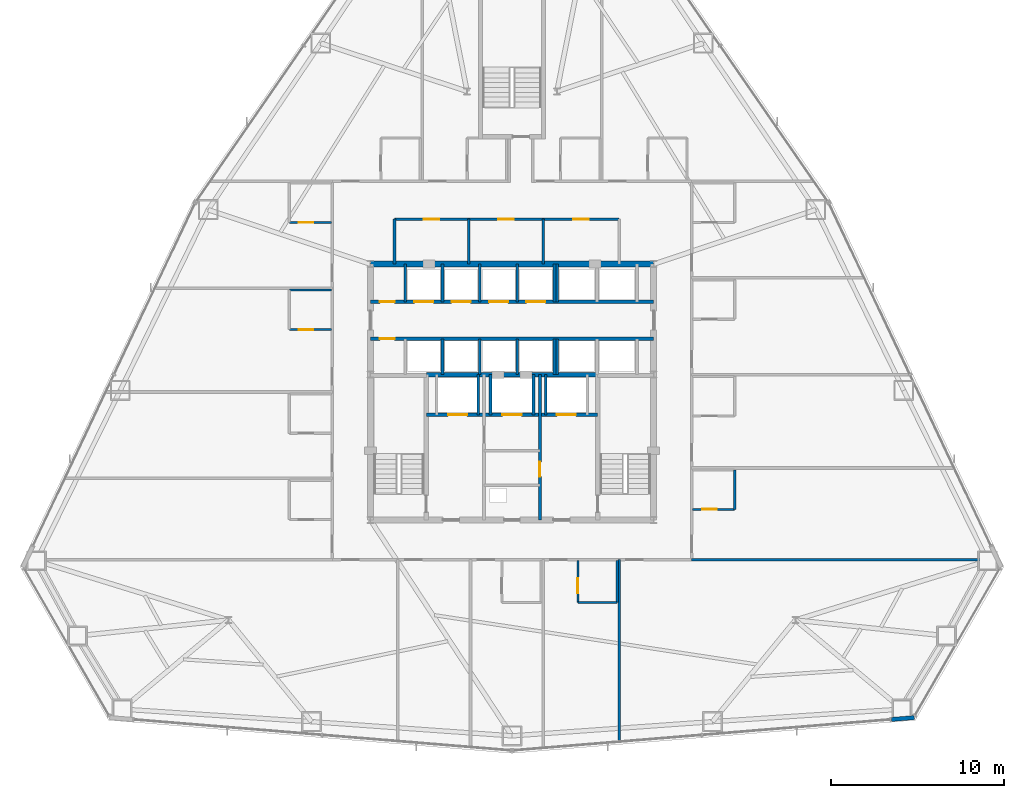
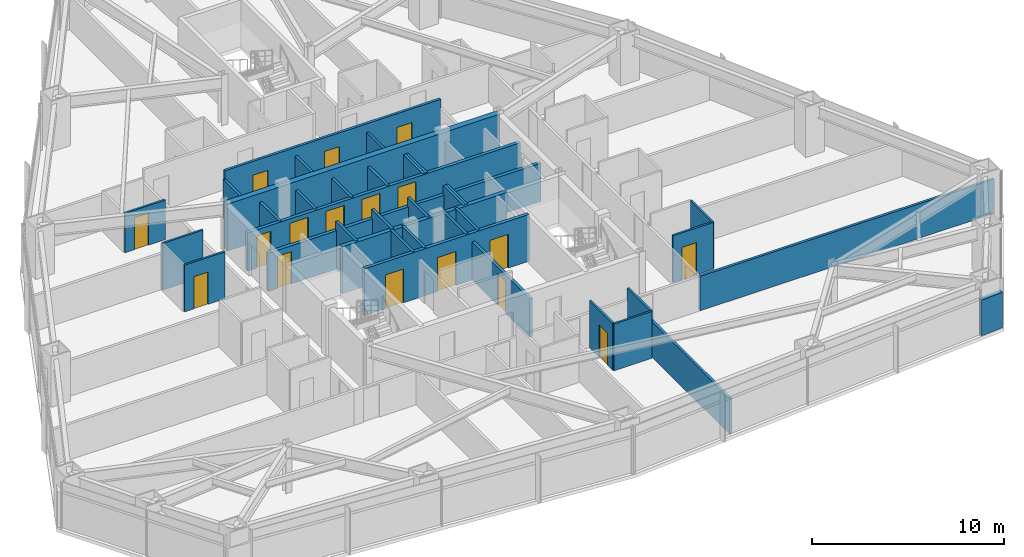
# One storey, part 10 of 13: 36 walls, 17 doors, 17 openings.
"""IFC4 building model written with IfcOpenShell, lengths in metres."""

from ifc_helpers import new_model, si_unit, direction, frame, frame_2d, origin, place, context, subcontext, project, spatial, rectangle, extrude, material, layer, layer_set, type_object, element, fill, save


model = new_model("IFC4")

# Units and contexts
model_context = context("Model", 3, precision=1e-05, world=origin(), true_north=direction((0.0, 1.0)))
body_context = subcontext(model_context, "Body", "Model", "MODEL_VIEW")
ifc_project = project(units=[si_unit("LENGTHUNIT", "METRE"), si_unit("AREAUNIT", "SQUARE_METRE"), si_unit("VOLUMEUNIT", "CUBIC_METRE"), si_unit("PLANEANGLEUNIT", "RADIAN"), si_unit("MASSUNIT", "GRAM", prefix="KILO")], contexts=[model_context])

# Site, building, storey
site_placement = place(None, origin())
site = spatial("IfcSite", under=ifc_project, at=site_placement, CompositionType="ELEMENT")
building_placement = place(site_placement, origin())
building = spatial("IfcBuilding", under=site, at=building_placement, Name="Varakhsha Concourse Tower", CompositionType="ELEMENT")
storey_placement = place(building_placement, frame((0.0, 0.0, 52.800048828125)))
storey = spatial("IfcBuildingStorey", under=building, at=storey_placement, Name="L14", CompositionType="ELEMENT", Elevation=52.800048828125)

# Walls
ifc_material_1 = material(Name="Concrete fc 65 MPa", Category="concrete")
ifc_layer_1 = layer(ifc_material_1, 0.35009765625, Name="WL-CORE-350")
ifc_layer_set_1 = layer_set([ifc_layer_1], Name="Concrete fc 65 MPa")
wall_type_1 = type_object("IfcWallType", Name="WL-CORE-350", PredefinedType="SHEAR", material=ifc_layer_set_1)
wall_1_placement = place(storey_placement, frame((31.800048828125, 31.199951171875, 0.0), z_axis=(0.0, 0.0, 1.0), x_axis=(1.0, 0.0, 0.0)))
element("IfcWall", 1, at=wall_1_placement, inside=storey, type_object=wall_type_1, Name="L14 Wall CWALL-N-L14", PredefinedType="SHEAR", context=body_context, shape_type="SweptSolid", body=[
    extrude(rectangle(XDim=16.39990234375, YDim=0.35009765625, at=frame_2d((8.199951171875, 0.0))), origin(), (0.0, 0.0, 1.0), 2.97998046875),
])
ifc_material_2 = material(Name="Concrete fc 45 MPa", Category="concrete")
ifc_layer_2 = layer(ifc_material_2, 0.239990234375, Name="WL-EXT-CRN-240")
ifc_layer_set_2 = layer_set([ifc_layer_2], Name="Concrete fc 45 MPa")
wall_type_2 = type_object("IfcWallType", Name="WL-EXT-CRN-240", PredefinedType="SHEAR", material=ifc_layer_set_2)
wall_2_placement = place(storey_placement, frame((61.953857421875, 4.8466796875, 0.0), z_axis=(0.0, 0.0, 1.0), x_axis=(0.996670011116, 0.081540719538, 0.0)))
element("IfcWall", 2, at=wall_2_placement, inside=storey, type_object=wall_type_2, Name="L14 Wind-Corner Shoulder Wall F6", PredefinedType="SHEAR", context=body_context, shape_type="SweptSolid", body=[
    extrude(rectangle(XDim=1.329345703125, YDim=0.239990234375, at=frame_2d((0.66455078125, 0.0))), origin(), (0.0, 0.0, 1.0), 2.262939453125),
])

# Wall, opening, door
ifc_material_3 = material(Name="Fire-Rated Type X Gypsum Partition Assembly", Category="gypsum")
ifc_layer_3 = layer(ifc_material_3, 0.179931640625, Name="WL-FFLOB-180")
ifc_layer_set_3 = layer_set([ifc_layer_3], Name="Fire-Rated Type X Gypsum Partition Assembly")
wall_type_3 = type_object("IfcWallType", Name="WL-FFLOB-180", PredefinedType="PARTITIONING", material=ifc_layer_set_3)
wall_3_placement = place(storey_placement, frame((41.610107421875, 16.39990234375, 0.0), z_axis=(0.0, 0.0, 1.0), x_axis=(0.0, 1.0, 0.0)))
wall_3 = element("IfcWall", 3, at=wall_3_placement, inside=storey, type_object=wall_type_3, Name="L14 Wall FFW-2W-L14", PredefinedType="PARTITIONING", context=body_context, shape_type="SweptSolid", body=[
    extrude(rectangle(XDim=8.400146484375, YDim=0.179931640625, at=frame_2d((4.2001953125, 0.0))), origin(), (0.0, 0.0, 1.0), 2.430908203125),
])
opening_1_placement = place(wall_3_placement, frame((2.5, 0.0, 0.0)))
opening_1 = element("IfcOpeningElement", 4, at=opening_1_placement, cuts=wall_3, Name="Opening DF-07", PredefinedType="OPENING", context=body_context, shape_type="SweptSolid", body=[
    extrude(rectangle(XDim=0.85009765625, YDim=2.050048828125, at=frame_2d((0.425048828125, 1.02490234375))), frame((0.0, 0.099853515625, 0.0), z_axis=(0.0, -1.0, 0.0), x_axis=(1.0, 0.0, 0.0)), (0.0, 0.0, 1.0), 0.199951171875),
])
ifc_material_4 = material(Name="Hollow Galvanised Steel Fire Door Assembly", Category="steel")
door_type_1 = type_object("IfcDoorType", Name="DR-FD60-850", OperationType="NOTDEFINED", PredefinedType="DOOR", material=ifc_material_4)
door_1_placement = place(opening_1_placement, origin())
door_1 = element("IfcDoor", 5, at=door_1_placement, inside=storey, type_object=door_type_1, Name="L14 Telecoms Node Door", OperationType="SINGLE_SWING_LEFT", OverallHeight=2.050048828125, OverallWidth=0.85009765625, PredefinedType="DOOR", context=body_context, shape_type="SweptSolid", body=[
    extrude(rectangle(XDim=0.85009765625, YDim=2.050048828125, at=frame_2d((0.425048828125, 1.02490234375))), frame((0.0, 0.02490234375, 0.0), z_axis=(0.0, -1.0, 0.0), x_axis=(1.0, 0.0, 0.0)), (0.0, 0.0, 1.0), 0.050048828125),
])
fill(opening_1, door_1)

ifc_material_5 = material(Name="Acoustic Gypsum Board Partition Assembly", Category="gypsum")
ifc_layer_4 = layer(ifc_material_5, 0.1201171875, Name="WL-PART-120")
ifc_layer_set_4 = layer_set([ifc_layer_4], Name="Acoustic Gypsum Board Partition Assembly")
wall_type_4 = type_object("IfcWallType", Name="WL-PART-120", PredefinedType="PARTITIONING", material=ifc_layer_set_4)
wall_4_placement = place(storey_placement, frame((43.81005859375, 11.610107421875, 0.0), z_axis=(0.0, 0.0, 1.0), x_axis=(0.0, 1.0, 0.0)))
wall_4 = element("IfcWall", 6, at=wall_4_placement, inside=storey, type_object=wall_type_4, Name="L14 Wall ENSW-W-L14-H04", PredefinedType="PARTITIONING", context=body_context, shape_type="SweptSolid", body=[
    extrude(rectangle(XDim=2.429931640625, YDim=0.1201171875, at=frame_2d((1.21484375, 0.0))), origin(), (0.0, 0.0, 1.0), 2.97998046875),
])
opening_2_placement = place(wall_4_placement, frame((0.550048828125, 0.0, 0.0)))
opening_2 = element("IfcOpeningElement", 7, at=opening_2_placement, cuts=wall_4, Name="Opening DI-01", PredefinedType="OPENING", context=body_context, shape_type="SweptSolid", body=[
    extrude(rectangle(XDim=0.85009765625, YDim=2.050048828125, at=frame_2d((0.425048828125, 1.02490234375))), frame((0.0, 0.070068359375, 0.0), z_axis=(0.0, -1.0, 0.0), x_axis=(1.0, 0.0, 0.0)), (0.0, 0.0, 1.0), 0.14013671875),
])
ifc_material_6 = material(Name="Architectural Walnut Acoustic Timber Door", Category="wood")
door_type_2 = type_object("IfcDoorType", Name="DR-INT-850", OperationType="NOTDEFINED", PredefinedType="DOOR", material=ifc_material_6)
door_2_placement = place(opening_2_placement, origin())
door_2 = element("IfcDoor", 8, at=door_2_placement, inside=storey, type_object=door_type_2, Name="L14 En-suite Bathroom Door L14-H04", OperationType="SINGLE_SWING_RIGHT", OverallHeight=2.050048828125, OverallWidth=0.85009765625, PredefinedType="DOOR", context=body_context, shape_type="SweptSolid", body=[
    extrude(rectangle(XDim=0.85009765625, YDim=2.050048828125, at=frame_2d((0.425048828125, 1.02490234375))), frame((0.0, 0.02490234375, 0.0), z_axis=(0.0, -1.0, 0.0), x_axis=(1.0, 0.0, 0.0)), (0.0, 0.0, 1.0), 0.050048828125),
])
fill(opening_2, door_2)

# Walls
wall_5_placement = place(storey_placement, frame((46.090087890625, 11.610107421875, 0.0), z_axis=(0.0, 0.0, 1.0), x_axis=(0.0, 1.0, 0.0)))
element("IfcWall", 9, at=wall_5_placement, inside=storey, type_object=wall_type_4, Name="L14 Wall ENSW-E-L14-H04", PredefinedType="PARTITIONING", context=body_context, shape_type="SweptSolid", body=[
    extrude(rectangle(XDim=2.429931640625, YDim=0.1201171875, at=frame_2d((1.21484375, 0.0))), origin(), (0.0, 0.0, 1.0), 2.97998046875),
])
wall_6_placement = place(storey_placement, frame((43.81005859375, 11.610107421875, 0.0), z_axis=(0.0, 0.0, 1.0), x_axis=(1.0, 0.0, 0.0)))
element("IfcWall", 10, at=wall_6_placement, inside=storey, type_object=wall_type_4, Name="L14 Wall ENSW-S-L14-H04", PredefinedType="PARTITIONING", context=body_context, shape_type="SweptSolid", body=[
    extrude(rectangle(XDim=2.280029296875, YDim=0.1201171875, at=frame_2d((1.14013671875, 0.0))), origin(), (0.0, 0.0, 1.0), 2.97998046875),
])

# Wall, opening, door
wall_7_placement = place(storey_placement, frame((27.110107421875, 27.409912109375, 0.0), z_axis=(0.0, 0.0, 1.0), x_axis=(1.0, 0.0, 0.0)))
wall_7 = element("IfcWall", 11, at=wall_7_placement, inside=storey, type_object=wall_type_4, Name="L14 Wall ENSW-S-L14-H08", PredefinedType="PARTITIONING", context=body_context, shape_type="SweptSolid", body=[
    extrude(rectangle(XDim=2.429931640625, YDim=0.1201171875, at=frame_2d((1.21484375, 0.0))), origin(), (0.0, 0.0, 1.0), 2.97998046875),
])
opening_3_placement = place(wall_7_placement, frame((0.550048828125, 0.0, 0.0)))
opening_3 = element("IfcOpeningElement", 12, at=opening_3_placement, cuts=wall_7, Name="Opening DI-01", PredefinedType="OPENING", context=body_context, shape_type="SweptSolid", body=[
    extrude(rectangle(XDim=0.85009765625, YDim=2.050048828125, at=frame_2d((0.425048828125, 1.02490234375))), frame((0.0, 0.070068359375, 0.0), z_axis=(0.0, -1.0, 0.0), x_axis=(1.0, 0.0, 0.0)), (0.0, 0.0, 1.0), 0.14013671875),
])
door_3_placement = place(opening_3_placement, origin())
door_3 = element("IfcDoor", 13, at=door_3_placement, inside=storey, type_object=door_type_2, Name="L14 En-suite Bathroom Door L14-H08", OperationType="SINGLE_SWING_RIGHT", OverallHeight=2.050048828125, OverallWidth=0.85009765625, PredefinedType="DOOR", context=body_context, shape_type="SweptSolid", body=[
    extrude(rectangle(XDim=0.85009765625, YDim=2.050048828125, at=frame_2d((0.425048828125, 1.02490234375))), frame((0.0, 0.02490234375, 0.0), z_axis=(0.0, -1.0, 0.0), x_axis=(1.0, 0.0, 0.0)), (0.0, 0.0, 1.0), 0.050048828125),
])
fill(opening_3, door_3)

# Wall
wall_8_placement = place(storey_placement, frame((27.110107421875, 29.68994140625, 0.0), z_axis=(0.0, 0.0, 1.0), x_axis=(1.0, 0.0, 0.0)))
element("IfcWall", 14, at=wall_8_placement, inside=storey, type_object=wall_type_4, Name="L14 Wall ENSW-N-L14-H08", PredefinedType="PARTITIONING", context=body_context, shape_type="SweptSolid", body=[
    extrude(rectangle(XDim=2.429931640625, YDim=0.1201171875, at=frame_2d((1.21484375, 0.0))), origin(), (0.0, 0.0, 1.0), 2.97998046875),
])

# Wall, opening, door
wall_9_placement = place(storey_placement, frame((27.110107421875, 33.610107421875, 0.0), z_axis=(0.0, 0.0, 1.0), x_axis=(1.0, 0.0, 0.0)))
wall_9 = element("IfcWall", 15, at=wall_9_placement, inside=storey, type_object=wall_type_4, Name="L14 Wall ENSW-S-L14-H09", PredefinedType="PARTITIONING", context=body_context, shape_type="SweptSolid", body=[
    extrude(rectangle(XDim=2.429931640625, YDim=0.1201171875, at=frame_2d((1.21484375, 0.0))), origin(), (0.0, 0.0, 1.0), 2.512939453125),
])
opening_4_placement = place(wall_9_placement, frame((0.550048828125, 0.0, 0.0)))
opening_4 = element("IfcOpeningElement", 16, at=opening_4_placement, cuts=wall_9, Name="Opening DI-01", PredefinedType="OPENING", context=body_context, shape_type="SweptSolid", body=[
    extrude(rectangle(XDim=0.85009765625, YDim=2.050048828125, at=frame_2d((0.425048828125, 1.02490234375))), frame((0.0, 0.070068359375, 0.0), z_axis=(0.0, -1.0, 0.0), x_axis=(1.0, 0.0, 0.0)), (0.0, 0.0, 1.0), 0.14013671875),
])
door_4_placement = place(opening_4_placement, origin())
door_4 = element("IfcDoor", 17, at=door_4_placement, inside=storey, type_object=door_type_2, Name="L14 En-suite Bathroom Door L14-H09", OperationType="SINGLE_SWING_RIGHT", OverallHeight=2.050048828125, OverallWidth=0.85009765625, PredefinedType="DOOR", context=body_context, shape_type="SweptSolid", body=[
    extrude(rectangle(XDim=0.85009765625, YDim=2.050048828125, at=frame_2d((0.425048828125, 1.02490234375))), frame((0.0, 0.02490234375, 0.0), z_axis=(0.0, -1.0, 0.0), x_axis=(1.0, 0.0, 0.0)), (0.0, 0.0, 1.0), 0.050048828125),
])
fill(opening_4, door_4)

# Wall
wall_10_placement = place(storey_placement, frame((52.889892578125, 17.010009765625, 0.0), z_axis=(0.0, 0.0, 1.0), x_axis=(0.0, 1.0, 0.0)))
element("IfcWall", 18, at=wall_10_placement, inside=storey, type_object=wall_type_4, Name="L14 Wall ENSW-E-L14-H10", PredefinedType="PARTITIONING", context=body_context, shape_type="SweptSolid", body=[
    extrude(rectangle(XDim=2.280029296875, YDim=0.1201171875, at=frame_2d((1.14013671875, 0.0))), origin(), (0.0, 0.0, 1.0), 2.97998046875),
])

# Wall, opening, door
wall_11_placement = place(storey_placement, frame((50.4599609375, 17.010009765625, 0.0), z_axis=(0.0, 0.0, 1.0), x_axis=(1.0, 0.0, 0.0)))
wall_11 = element("IfcWall", 19, at=wall_11_placement, inside=storey, type_object=wall_type_4, Name="L14 Wall ENSW-S-L14-H10", PredefinedType="PARTITIONING", context=body_context, shape_type="SweptSolid", body=[
    extrude(rectangle(XDim=2.429931640625, YDim=0.1201171875, at=frame_2d((1.21484375, 0.0))), origin(), (0.0, 0.0, 1.0), 2.97998046875),
])
opening_5_placement = place(wall_11_placement, frame((0.550048828125, 0.0, 0.0)))
opening_5 = element("IfcOpeningElement", 20, at=opening_5_placement, cuts=wall_11, Name="Opening DI-01", PredefinedType="OPENING", context=body_context, shape_type="SweptSolid", body=[
    extrude(rectangle(XDim=0.85009765625, YDim=2.050048828125, at=frame_2d((0.425048828125, 1.02490234375))), frame((0.0, 0.070068359375, 0.0), z_axis=(0.0, -1.0, 0.0), x_axis=(1.0, 0.0, 0.0)), (0.0, 0.0, 1.0), 0.14013671875),
])
door_5_placement = place(opening_5_placement, origin())
door_5 = element("IfcDoor", 21, at=door_5_placement, inside=storey, type_object=door_type_2, Name="L14 En-suite Bathroom Door L14-H10", OperationType="SINGLE_SWING_RIGHT", OverallHeight=2.050048828125, OverallWidth=0.85009765625, PredefinedType="DOOR", context=body_context, shape_type="SweptSolid", body=[
    extrude(rectangle(XDim=0.85009765625, YDim=2.050048828125, at=frame_2d((0.425048828125, 1.02490234375))), frame((0.0, 0.02490234375, 0.0), z_axis=(0.0, -1.0, 0.0), x_axis=(1.0, 0.0, 0.0)), (0.0, 0.0, 1.0), 0.050048828125),
])
fill(opening_5, door_5)

# Wall, openings, doors
ifc_layer_5 = layer(ifc_material_3, 0.14990234375, Name="WL-PART-150")
ifc_layer_set_5 = layer_set([ifc_layer_5], Name="Fire-Rated Type X Gypsum Partition Assembly")
wall_type_5 = type_object("IfcWallType", Name="WL-PART-150", PredefinedType="PARTITIONING", material=ifc_layer_set_5)
wall_12_placement = place(storey_placement, frame((33.199951171875, 33.800048828125, 0.0), z_axis=(0.0, 0.0, 1.0), x_axis=(1.0, 0.0, 0.0)))
wall_12 = element("IfcWall", 22, at=wall_12_placement, inside=storey, type_object=wall_type_5, Name="L14 Wall NBOH-N-L14", PredefinedType="PARTITIONING", context=body_context, shape_type="SweptSolid", body=[
    extrude(rectangle(XDim=13.0, YDim=0.14990234375, at=frame_2d((6.5, 0.0))), origin(), (0.0, 0.0, 1.0), 2.97998046875),
])
opening_6_placement = place(wall_12_placement, frame((1.699951171875, 0.0, 0.0)))
opening_6 = element("IfcOpeningElement", 23, at=opening_6_placement, cuts=wall_12, Name="Opening DF-06", PredefinedType="OPENING", context=body_context, shape_type="SweptSolid", body=[
    extrude(rectangle(XDim=0.89990234375, YDim=2.10009765625, at=frame_2d((0.449951171875, 1.050048828125))), frame((0.0, 0.0849609375, 0.0), z_axis=(0.0, -1.0, 0.0), x_axis=(1.0, 0.0, 0.0)), (0.0, 0.0, 1.0), 0.169921875),
])
opening_7_placement = place(wall_12_placement, frame((6.0, 0.0, 0.0)))
opening_7 = element("IfcOpeningElement", 24, at=opening_7_placement, cuts=wall_12, Name="Opening DF-06", PredefinedType="OPENING", context=body_context, shape_type="SweptSolid", body=[
    extrude(rectangle(XDim=0.89990234375, YDim=2.10009765625, at=frame_2d((0.449951171875, 1.050048828125))), frame((0.0, 0.0849609375, 0.0), z_axis=(0.0, -1.0, 0.0), x_axis=(1.0, 0.0, 0.0)), (0.0, 0.0, 1.0), 0.169921875),
])
opening_8_placement = place(wall_12_placement, frame((10.35009765625, 0.0, 0.0)))
opening_8 = element("IfcOpeningElement", 25, at=opening_8_placement, cuts=wall_12, Name="Opening DF-06", PredefinedType="OPENING", context=body_context, shape_type="SweptSolid", body=[
    extrude(rectangle(XDim=0.89990234375, YDim=2.10009765625, at=frame_2d((0.449951171875, 1.050048828125))), frame((0.0, 0.0849609375, 0.0), z_axis=(0.0, -1.0, 0.0), x_axis=(1.0, 0.0, 0.0)), (0.0, 0.0, 1.0), 0.169921875),
])
door_type_3 = type_object("IfcDoorType", Name="DR-FD60-900", OperationType="NOTDEFINED", PredefinedType="DOOR", material=ifc_material_4)
door_6_placement = place(opening_6_placement, origin())
door_6 = element("IfcDoor", 26, at=door_6_placement, inside=storey, type_object=door_type_3, Name="L14 Housekeeping and Linen Room Door", OperationType="SINGLE_SWING_LEFT", OverallHeight=2.10009765625, OverallWidth=0.89990234375, PredefinedType="DOOR", context=body_context, shape_type="SweptSolid", body=[
    extrude(rectangle(XDim=0.89990234375, YDim=2.10009765625, at=frame_2d((0.449951171875, 1.050048828125))), frame((0.0, 0.02490234375, 0.0), z_axis=(0.0, -1.0, 0.0), x_axis=(1.0, 0.0, 0.0)), (0.0, 0.0, 1.0), 0.050048828125),
])
fill(opening_6, door_6)
door_7_placement = place(opening_7_placement, origin())
door_7 = element("IfcDoor", 27, at=door_7_placement, inside=storey, type_object=door_type_3, Name="L14 Accessible WC Door", OperationType="SINGLE_SWING_RIGHT", OverallHeight=2.10009765625, OverallWidth=0.89990234375, PredefinedType="DOOR", context=body_context, shape_type="SweptSolid", body=[
    extrude(rectangle(XDim=0.89990234375, YDim=2.10009765625, at=frame_2d((0.449951171875, 1.050048828125))), frame((0.0, 0.02490234375, 0.0), z_axis=(0.0, -1.0, 0.0), x_axis=(1.0, 0.0, 0.0)), (0.0, 0.0, 1.0), 0.050048828125),
])
fill(opening_7, door_7)
door_8_placement = place(opening_8_placement, origin())
door_8 = element("IfcDoor", 28, at=door_8_placement, inside=storey, type_object=door_type_3, Name="L14 Staff Restroom WC Door", OperationType="SINGLE_SWING_LEFT", OverallHeight=2.10009765625, OverallWidth=0.89990234375, PredefinedType="DOOR", context=body_context, shape_type="SweptSolid", body=[
    extrude(rectangle(XDim=0.89990234375, YDim=2.10009765625, at=frame_2d((0.449951171875, 1.050048828125))), frame((0.0, 0.02490234375, 0.0), z_axis=(0.0, -1.0, 0.0), x_axis=(1.0, 0.0, 0.0)), (0.0, 0.0, 1.0), 0.050048828125),
])
fill(opening_8, door_8)

# Walls
for number, where, z_axis, x_axis, name in (
    (29, (33.199951171875, 31.199951171875, 0.0), (0.0, 0.0, 1.0), (0.0, 1.0, 0.0), "L14 Wall NBOH-W-L14"),
    (30, (37.5, 31.199951171875, 0.0), (0.0, 0.0, 1.0), (0.0, 1.0, 0.0), "L14 Wall NBOH-D1-L14"),
    (31, (41.800048828125, 31.199951171875, 0.0), (0.0, 0.0, 1.0), (0.0, 1.0, 0.0), "L14 Wall NBOH-D2-L14"),
):
    element("IfcWall", number, at=place(storey_placement, frame(where, z_axis=z_axis, x_axis=x_axis)), inside=storey, type_object=wall_type_5, Name=name, PredefinedType="PARTITIONING", context=body_context, shape_type="SweptSolid", body=[
        extrude(rectangle(XDim=2.60009765625, YDim=0.14990234375, at=frame_2d((1.300048828125, 0.0))), origin(), (0.0, 0.0, 1.0), 2.430908203125),
    ])
wall_13_placement = place(storey_placement, frame((46.199951171875, 3.560791015625, 0.0), z_axis=(0.0, 0.0, 1.0), x_axis=(0.0, 1.0, 0.0)))
element("IfcWall", 32, at=wall_13_placement, inside=storey, type_object=wall_type_5, Name="L14 Wall HDIV-S4-L14", PredefinedType="PARTITIONING", context=body_context, shape_type="SweptSolid", body=[
    extrude(rectangle(XDim=10.539306640625, YDim=0.14990234375, at=frame_2d((5.26953125, 0.0))), origin(), (0.0, 0.0, 1.0), 2.26806640625),
])
wall_14_placement = place(storey_placement, frame((50.39990234375, 14.10009765625, 0.0), z_axis=(0.0, 0.0, 1.0), x_axis=(1.0, 0.0, 0.0)))
element("IfcWall", 33, at=wall_14_placement, inside=storey, type_object=wall_type_5, Name="L14 Wall HDIV-EB0-L14", PredefinedType="PARTITIONING", context=body_context, shape_type="SweptSolid", body=[
    extrude(rectangle(XDim=17.693603515625, YDim=0.14990234375, at=frame_2d((8.8466796875, 0.0))), origin(), (0.0, 0.0, 1.0), 2.19091796875),
])

# Wall, openings, doors
ifc_layer_6 = layer(ifc_material_3, 0.199951171875, Name="WL-SHAFT-220")
ifc_layer_set_6 = layer_set([ifc_layer_6], Name="Fire-Rated Type X Gypsum Partition Assembly")
wall_type_6 = type_object("IfcWallType", Name="WL-SHAFT-220", PredefinedType="SOLIDWALL", material=ifc_layer_set_6)
wall_15_placement = place(storey_placement, frame((35.044921875, 22.47998046875, 0.0), z_axis=(0.0, 0.0, 1.0), x_axis=(1.0, 0.0, 0.0)))
wall_15 = element("IfcWall", 34, at=wall_15_placement, inside=storey, type_object=wall_type_6, Name="L14 Wall FFW-NH-L14", PredefinedType="SOLIDWALL", context=body_context, shape_type="SweptSolid", body=[
    extrude(rectangle(XDim=9.91015625, YDim=0.199951171875, at=frame_2d((4.955078125, 0.0))), origin(), (0.0, 0.0, 1.0), 2.97998046875),
])
opening_9_placement = place(wall_15_placement, frame((1.2548828125, 0.0, 0.0)))
opening_9 = element("IfcOpeningElement", 35, at=opening_9_placement, cuts=wall_15, Name="Opening LD-FFL-1", PredefinedType="OPENING", context=body_context, shape_type="SweptSolid", body=[
    extrude(rectangle(XDim=1.10009765625, YDim=2.14990234375, at=frame_2d((0.550048828125, 1.074951171875))), frame((0.0, 0.10986328125, 0.0), z_axis=(0.0, -1.0, 0.0), x_axis=(1.0, 0.0, 0.0)), (0.0, 0.0, 1.0), 0.219970703125),
])
opening_10_placement = place(wall_15_placement, frame((7.554931640625, 0.0, 0.0)))
opening_10 = element("IfcOpeningElement", 36, at=opening_10_placement, cuts=wall_15, Name="Opening LD-FFL-2", PredefinedType="OPENING", context=body_context, shape_type="SweptSolid", body=[
    extrude(rectangle(XDim=1.10009765625, YDim=2.14990234375, at=frame_2d((0.550048828125, 1.074951171875))), frame((0.0, 0.10986328125, 0.0), z_axis=(0.0, -1.0, 0.0), x_axis=(1.0, 0.0, 0.0)), (0.0, 0.0, 1.0), 0.219970703125),
])
opening_11_placement = place(wall_15_placement, frame((4.405029296875, 0.0, 0.0)))
opening_11 = element("IfcOpeningElement", 37, at=opening_11_placement, cuts=wall_15, Name="Opening LD-SVL-1", PredefinedType="OPENING", context=body_context, shape_type="SweptSolid", body=[
    extrude(rectangle(XDim=1.10009765625, YDim=2.14990234375, at=frame_2d((0.550048828125, 1.074951171875))), frame((0.0, 0.10986328125, 0.0), z_axis=(0.0, -1.0, 0.0), x_axis=(1.0, 0.0, 0.0)), (0.0, 0.0, 1.0), 0.219970703125),
])
ifc_material_7 = material(Name="Brushed Austenitic Stainless Steel AISI 316", Category="steel")
door_type_4 = type_object("IfcDoorType", Name="DR-LD-1100", OperationType="DOUBLE_DOOR_SLIDING", PredefinedType="DOOR", material=ifc_material_7)
door_9_placement = place(opening_9_placement, origin())
door_9 = element("IfcDoor", 38, at=door_9_placement, inside=storey, type_object=door_type_4, Name="Lift Landing Door FFL-1 L14", OperationType="DOUBLE_DOOR_SLIDING", OverallHeight=2.14990234375, OverallWidth=1.10009765625, PredefinedType="DOOR", context=body_context, shape_type="SweptSolid", body=[
    extrude(rectangle(XDim=1.10009765625, YDim=2.14990234375, at=frame_2d((0.550048828125, 1.074951171875))), frame((0.0, 0.02490234375, 0.0), z_axis=(0.0, -1.0, 0.0), x_axis=(1.0, 0.0, 0.0)), (0.0, 0.0, 1.0), 0.050048828125),
])
fill(opening_9, door_9)
door_10_placement = place(opening_10_placement, origin())
door_10 = element("IfcDoor", 39, at=door_10_placement, inside=storey, type_object=door_type_4, Name="Lift Landing Door FFL-2 L14", OperationType="DOUBLE_DOOR_SLIDING", OverallHeight=2.14990234375, OverallWidth=1.10009765625, PredefinedType="DOOR", context=body_context, shape_type="SweptSolid", body=[
    extrude(rectangle(XDim=1.10009765625, YDim=2.14990234375, at=frame_2d((0.550048828125, 1.074951171875))), frame((0.0, 0.02490234375, 0.0), z_axis=(0.0, -1.0, 0.0), x_axis=(1.0, 0.0, 0.0)), (0.0, 0.0, 1.0), 0.050048828125),
])
fill(opening_10, door_10)
door_11_placement = place(opening_11_placement, origin())
door_11 = element("IfcDoor", 40, at=door_11_placement, inside=storey, type_object=door_type_4, Name="Lift Landing Door SVL-1 L14", OperationType="DOUBLE_DOOR_SLIDING", OverallHeight=2.14990234375, OverallWidth=1.10009765625, PredefinedType="DOOR", context=body_context, shape_type="SweptSolid", body=[
    extrude(rectangle(XDim=1.10009765625, YDim=2.14990234375, at=frame_2d((0.550048828125, 1.074951171875))), frame((0.0, 0.02490234375, 0.0), z_axis=(0.0, -1.0, 0.0), x_axis=(1.0, 0.0, 0.0)), (0.0, 0.0, 1.0), 0.050048828125),
])
fill(opening_11, door_11)

# Walls
for number, where, z_axis, x_axis, name in (
    (41, (38.050048828125, 22.47998046875, 0.0), (0.0, 0.0, 1.0), (0.0, 1.0, 0.0), "L14 Wall SHW-FFL-1-E-L14"),
    (42, (41.949951171875, 22.47998046875, 0.0), (0.0, 0.0, 1.0), (0.0, 1.0, 0.0), "L14 Wall SHW-FFL-2-W-L14"),
    (43, (38.75, 22.47998046875, 0.0), (0.0, 0.0, 1.0), (0.0, 1.0, 0.0), "L14 Wall SHW-SVL-1-W-L14"),
    (44, (41.25, 22.47998046875, 0.0), (0.0, 0.0, 1.0), (0.0, 1.0, 0.0), "L14 Wall SHW-SVL-1-E-L14"),
):
    element("IfcWall", number, at=place(storey_placement, frame(where, z_axis=z_axis, x_axis=x_axis)), inside=storey, type_object=wall_type_6, Name=name, PredefinedType="SOLIDWALL", context=body_context, shape_type="SweptSolid", body=[
        extrude(rectangle(XDim=2.320068359375, YDim=0.159912109375, at=frame_2d((1.16015625, 0.0))), origin(), (0.0, 0.0, 1.0), 2.97998046875),
    ])

# Wall, openings, doors
wall_16_placement = place(storey_placement, frame((31.800048828125, 29.02001953125, 0.0), z_axis=(0.0, 0.0, 1.0), x_axis=(1.0, 0.0, 0.0)))
wall_16 = element("IfcWall", 45, at=wall_16_placement, inside=storey, type_object=wall_type_6, Name="L14 Wall PLW-N-L14", PredefinedType="SOLIDWALL", context=body_context, shape_type="SweptSolid", body=[
    extrude(rectangle(XDim=16.39990234375, YDim=0.199951171875, at=frame_2d((8.199951171875, 0.0))), origin(), (0.0, 0.0, 1.0), 2.430908203125),
])
opening_12_placement = place(wall_16_placement, frame((0.550048828125, 0.0, 0.0)))
opening_12 = element("IfcOpeningElement", 46, at=opening_12_placement, cuts=wall_16, Name="Opening DF-07", PredefinedType="OPENING", context=body_context, shape_type="SweptSolid", body=[
    extrude(rectangle(XDim=0.85009765625, YDim=2.050048828125, at=frame_2d((0.425048828125, 1.02490234375))), frame((0.0, 0.10986328125, 0.0), z_axis=(0.0, -1.0, 0.0), x_axis=(1.0, 0.0, 0.0)), (0.0, 0.0, 1.0), 0.219970703125),
])
opening_13_placement = place(wall_16_placement, frame((2.550048828125, 0.0, 0.0)))
opening_13 = element("IfcOpeningElement", 47, at=opening_13_placement, cuts=wall_16, Name="Opening LD-LF-P01", PredefinedType="OPENING", context=body_context, shape_type="SweptSolid", body=[
    extrude(rectangle(XDim=1.10009765625, YDim=2.14990234375, at=frame_2d((0.550048828125, 1.074951171875))), frame((0.0, 0.10986328125, 0.0), z_axis=(0.0, -1.0, 0.0), x_axis=(1.0, 0.0, 0.0)), (0.0, 0.0, 1.0), 0.219970703125),
])
opening_14_placement = place(wall_16_placement, frame((4.7099609375, 0.0, 0.0)))
opening_14 = element("IfcOpeningElement", 48, at=opening_14_placement, cuts=wall_16, Name="Opening LD-LF-P02", PredefinedType="OPENING", context=body_context, shape_type="SweptSolid", body=[
    extrude(rectangle(XDim=1.10009765625, YDim=2.14990234375, at=frame_2d((0.550048828125, 1.074951171875))), frame((0.0, 0.10986328125, 0.0), z_axis=(0.0, -1.0, 0.0), x_axis=(1.0, 0.0, 0.0)), (0.0, 0.0, 1.0), 0.219970703125),
])
opening_15_placement = place(wall_16_placement, frame((6.8701171875, 0.0, 0.0)))
opening_15 = element("IfcOpeningElement", 49, at=opening_15_placement, cuts=wall_16, Name="Opening LD-LF-P03", PredefinedType="OPENING", context=body_context, shape_type="SweptSolid", body=[
    extrude(rectangle(XDim=1.10009765625, YDim=2.14990234375, at=frame_2d((0.550048828125, 1.074951171875))), frame((0.0, 0.10986328125, 0.0), z_axis=(0.0, -1.0, 0.0), x_axis=(1.0, 0.0, 0.0)), (0.0, 0.0, 1.0), 0.219970703125),
])
opening_16_placement = place(wall_16_placement, frame((9.030029296875, 0.0, 0.0)))
opening_16 = element("IfcOpeningElement", 50, at=opening_16_placement, cuts=wall_16, Name="Opening LD-LF-P04", PredefinedType="OPENING", context=body_context, shape_type="SweptSolid", body=[
    extrude(rectangle(XDim=1.10009765625, YDim=2.14990234375, at=frame_2d((0.550048828125, 1.074951171875))), frame((0.0, 0.10986328125, 0.0), z_axis=(0.0, -1.0, 0.0), x_axis=(1.0, 0.0, 0.0)), (0.0, 0.0, 1.0), 0.219970703125),
])
door_12_placement = place(opening_12_placement, origin())
door_12 = element("IfcDoor", 51, at=door_12_placement, inside=storey, type_object=door_type_1, Name="L14 Core Janitor Closet Door", OperationType="SINGLE_SWING_LEFT", OverallHeight=2.050048828125, OverallWidth=0.85009765625, PredefinedType="DOOR", context=body_context, shape_type="SweptSolid", body=[
    extrude(rectangle(XDim=0.85009765625, YDim=2.050048828125, at=frame_2d((0.425048828125, 1.02490234375))), frame((0.0, 0.02490234375, 0.0), z_axis=(0.0, -1.0, 0.0), x_axis=(1.0, 0.0, 0.0)), (0.0, 0.0, 1.0), 0.050048828125),
])
fill(opening_12, door_12)
door_13_placement = place(opening_13_placement, origin())
door_13 = element("IfcDoor", 52, at=door_13_placement, inside=storey, type_object=door_type_4, Name="Lift Landing Door LF-P01 L14", OperationType="DOUBLE_DOOR_SLIDING", OverallHeight=2.14990234375, OverallWidth=1.10009765625, PredefinedType="DOOR", context=body_context, shape_type="SweptSolid", body=[
    extrude(rectangle(XDim=1.10009765625, YDim=2.14990234375, at=frame_2d((0.550048828125, 1.074951171875))), frame((0.0, 0.02490234375, 0.0), z_axis=(0.0, -1.0, 0.0), x_axis=(1.0, 0.0, 0.0)), (0.0, 0.0, 1.0), 0.050048828125),
])
fill(opening_13, door_13)
door_14_placement = place(opening_14_placement, origin())
door_14 = element("IfcDoor", 53, at=door_14_placement, inside=storey, type_object=door_type_4, Name="Lift Landing Door LF-P02 L14", OperationType="DOUBLE_DOOR_SLIDING", OverallHeight=2.14990234375, OverallWidth=1.10009765625, PredefinedType="DOOR", context=body_context, shape_type="SweptSolid", body=[
    extrude(rectangle(XDim=1.10009765625, YDim=2.14990234375, at=frame_2d((0.550048828125, 1.074951171875))), frame((0.0, 0.02490234375, 0.0), z_axis=(0.0, -1.0, 0.0), x_axis=(1.0, 0.0, 0.0)), (0.0, 0.0, 1.0), 0.050048828125),
])
fill(opening_14, door_14)
door_15_placement = place(opening_15_placement, origin())
door_15 = element("IfcDoor", 54, at=door_15_placement, inside=storey, type_object=door_type_4, Name="Lift Landing Door LF-P03 L14", OperationType="DOUBLE_DOOR_SLIDING", OverallHeight=2.14990234375, OverallWidth=1.10009765625, PredefinedType="DOOR", context=body_context, shape_type="SweptSolid", body=[
    extrude(rectangle(XDim=1.10009765625, YDim=2.14990234375, at=frame_2d((0.550048828125, 1.074951171875))), frame((0.0, 0.02490234375, 0.0), z_axis=(0.0, -1.0, 0.0), x_axis=(1.0, 0.0, 0.0)), (0.0, 0.0, 1.0), 0.050048828125),
])
fill(opening_15, door_15)
door_16_placement = place(opening_16_placement, origin())
door_16 = element("IfcDoor", 55, at=door_16_placement, inside=storey, type_object=door_type_4, Name="Lift Landing Door LF-P04 L14", OperationType="DOUBLE_DOOR_SLIDING", OverallHeight=2.14990234375, OverallWidth=1.10009765625, PredefinedType="DOOR", context=body_context, shape_type="SweptSolid", body=[
    extrude(rectangle(XDim=1.10009765625, YDim=2.14990234375, at=frame_2d((0.550048828125, 1.074951171875))), frame((0.0, 0.02490234375, 0.0), z_axis=(0.0, -1.0, 0.0), x_axis=(1.0, 0.0, 0.0)), (0.0, 0.0, 1.0), 0.050048828125),
])
fill(opening_16, door_16)

# Wall, opening, door
wall_17_placement = place(storey_placement, frame((31.800048828125, 26.8798828125, 0.0), z_axis=(0.0, 0.0, 1.0), x_axis=(1.0, 0.0, 0.0)))
wall_17 = element("IfcWall", 56, at=wall_17_placement, inside=storey, type_object=wall_type_6, Name="L14 Wall PLW-S-L14", PredefinedType="SOLIDWALL", context=body_context, shape_type="SweptSolid", body=[
    extrude(rectangle(XDim=16.39990234375, YDim=0.199951171875, at=frame_2d((8.199951171875, 0.0))), origin(), (0.0, 0.0, 1.0), 2.430908203125),
])
opening_17_placement = place(wall_17_placement, frame((0.550048828125, 0.0, 0.0)))
opening_17 = element("IfcOpeningElement", 57, at=opening_17_placement, cuts=wall_17, Name="Opening DF-07", PredefinedType="OPENING", context=body_context, shape_type="SweptSolid", body=[
    extrude(rectangle(XDim=0.85009765625, YDim=2.050048828125, at=frame_2d((0.425048828125, 1.02490234375))), frame((0.0, 0.10986328125, 0.0), z_axis=(0.0, -1.0, 0.0), x_axis=(1.0, 0.0, 0.0)), (0.0, 0.0, 1.0), 0.219970703125),
])
door_17_placement = place(opening_17_placement, origin())
door_17 = element("IfcDoor", 58, at=door_17_placement, inside=storey, type_object=door_type_1, Name="L14 Core Telecoms Closet Door", OperationType="SINGLE_SWING_RIGHT", OverallHeight=2.050048828125, OverallWidth=0.85009765625, PredefinedType="DOOR", context=body_context, shape_type="SweptSolid", body=[
    extrude(rectangle(XDim=0.85009765625, YDim=2.050048828125, at=frame_2d((0.425048828125, 1.02490234375))), frame((0.0, 0.02490234375, 0.0), z_axis=(0.0, -1.0, 0.0), x_axis=(1.0, 0.0, 0.0)), (0.0, 0.0, 1.0), 0.050048828125),
])
fill(opening_17, door_17)

# Walls
for number, where, z_axis, x_axis, name in (
    (59, (33.820068359375, 29.02001953125, 0.0), (0.0, 0.0, 1.0), (0.0, 1.0, 0.0), "L14 Wall WBOH-E1-L14"),
    (60, (35.97998046875, 29.02001953125, 0.0), (0.0, 0.0, 1.0), (0.0, 1.0, 0.0), "L14 Wall SHW-LF-P01-E-L14"),
    (61, (38.139892578125, 29.02001953125, 0.0), (0.0, 0.0, 1.0), (0.0, 1.0, 0.0), "L14 Wall SHW-LF-P02-E-L14"),
    (62, (40.300048828125, 29.02001953125, 0.0), (0.0, 0.0, 1.0), (0.0, 1.0, 0.0), "L14 Wall SHW-LF-P03-E-L14"),
    (63, (42.4599609375, 29.02001953125, 0.0), (0.0, 0.0, 1.0), (0.0, 1.0, 0.0), "L14 Wall SHW-LF-P04-E-L14"),
):
    element("IfcWall", number, at=place(storey_placement, frame(where, z_axis=z_axis, x_axis=x_axis)), inside=storey, type_object=wall_type_6, Name=name, PredefinedType="SOLIDWALL", context=body_context, shape_type="SweptSolid", body=[
        extrude(rectangle(XDim=2.179931640625, YDim=0.159912109375, at=frame_2d((1.08984375, 0.0))), origin(), (0.0, 0.0, 1.0), 2.430908203125),
    ])
for number, where, z_axis, x_axis, name in (
    (64, (35.97998046875, 24.800048828125, 0.0), (0.0, 0.0, 1.0), (0.0, 1.0, 0.0), "L14 Wall SHW-LF-P05-E-L14"),
    (65, (38.139892578125, 24.800048828125, 0.0), (0.0, 0.0, 1.0), (0.0, 1.0, 0.0), "L14 Wall SHW-LF-P06-E-L14"),
    (66, (40.300048828125, 24.800048828125, 0.0), (0.0, 0.0, 1.0), (0.0, 1.0, 0.0), "L14 Wall SHW-LF-P07-E-L14"),
    (67, (42.4599609375, 24.800048828125, 0.0), (0.0, 0.0, 1.0), (0.0, 1.0, 0.0), "L14 Wall SHW-LF-P08-E-L14"),
):
    element("IfcWall", number, at=place(storey_placement, frame(where, z_axis=z_axis, x_axis=x_axis)), inside=storey, type_object=wall_type_6, Name=name, PredefinedType="SOLIDWALL", context=body_context, shape_type="SweptSolid", body=[
        extrude(rectangle(XDim=2.079833984375, YDim=0.159912109375, at=frame_2d((1.0400390625, 0.0))), origin(), (0.0, 0.0, 1.0), 2.97998046875),
    ])
wall_18_placement = place(storey_placement, frame((42.60009765625, 29.02001953125, 0.0), z_axis=(0.0, 0.0, 1.0), x_axis=(0.0, 1.0, 0.0)))
element("IfcWall", 68, at=wall_18_placement, inside=storey, type_object=wall_type_6, Name="L14 Wall SHW-LF-P09-W-L14", PredefinedType="SOLIDWALL", context=body_context, shape_type="SweptSolid", body=[
    extrude(rectangle(XDim=2.179931640625, YDim=0.159912109375, at=frame_2d((1.08984375, 0.0))), origin(), (0.0, 0.0, 1.0), 2.430908203125),
])
wall_19_placement = place(storey_placement, frame((42.60009765625, 24.800048828125, 0.0), z_axis=(0.0, 0.0, 1.0), x_axis=(0.0, 1.0, 0.0)))
element("IfcWall", 69, at=wall_19_placement, inside=storey, type_object=wall_type_6, Name="L14 Wall SHW-LF-P11-W-L14", PredefinedType="SOLIDWALL", context=body_context, shape_type="SweptSolid", body=[
    extrude(rectangle(XDim=2.079833984375, YDim=0.159912109375, at=frame_2d((1.0400390625, 0.0))), origin(), (0.0, 0.0, 1.0), 2.97998046875),
])
ifc_layer_7 = layer(ifc_material_2, 0.25, Name="WL-STAIR-250")
ifc_layer_set_7 = layer_set([ifc_layer_7], Name="Concrete fc 45 MPa")
wall_type_7 = type_object("IfcWallType", Name="WL-STAIR-250", PredefinedType="SHEAR", material=ifc_layer_set_7)
wall_20_placement = place(storey_placement, frame((35.044921875, 24.800048828125, 0.0), z_axis=(0.0, 0.0, 1.0), x_axis=(1.0, 0.0, 0.0)))
element("IfcWall", 70, at=wall_20_placement, inside=storey, type_object=wall_type_7, Name="L14 Wall SWALL-MID-H-L14", PredefinedType="SHEAR", context=body_context, shape_type="SweptSolid", body=[
    extrude(rectangle(XDim=9.91015625, YDim=0.25, at=frame_2d((4.955078125, 0.0))), origin(), (0.0, 0.0, 1.0), 2.97998046875),
])

save(model, "model.ifc")
